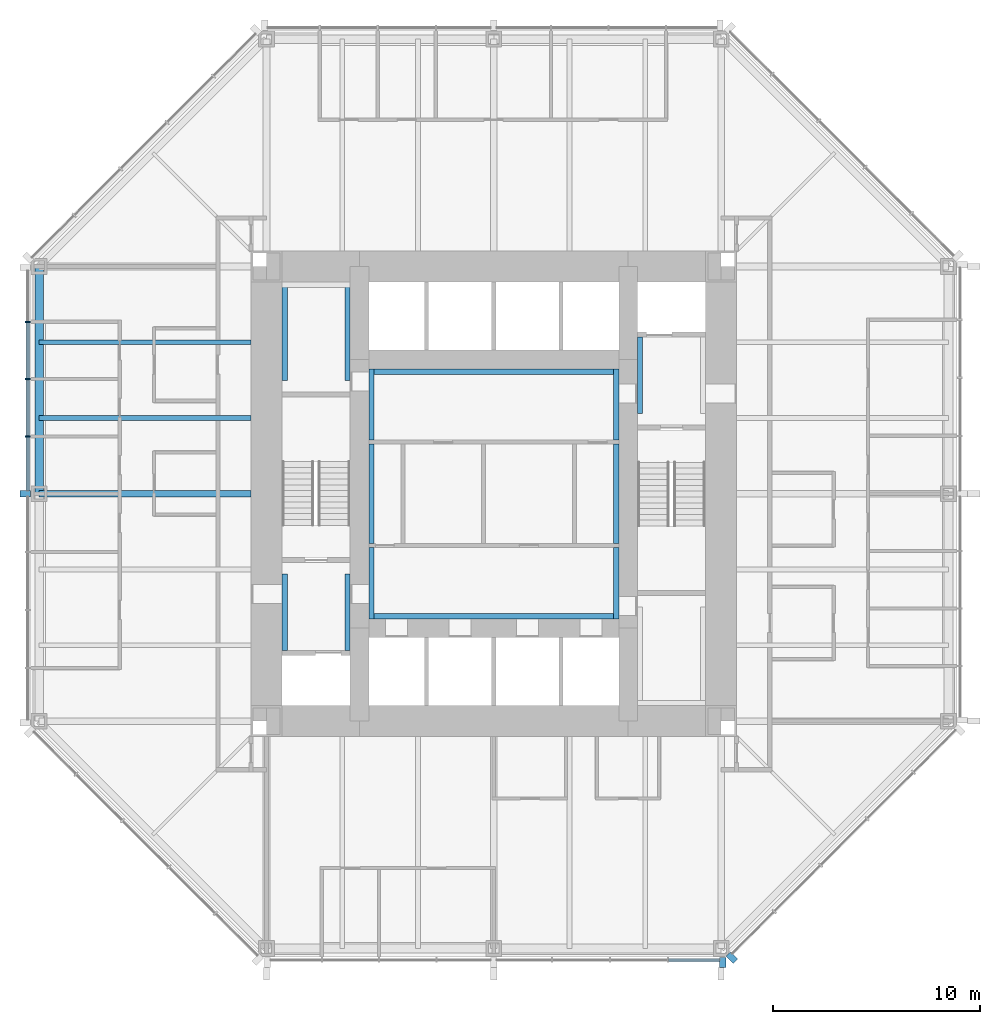
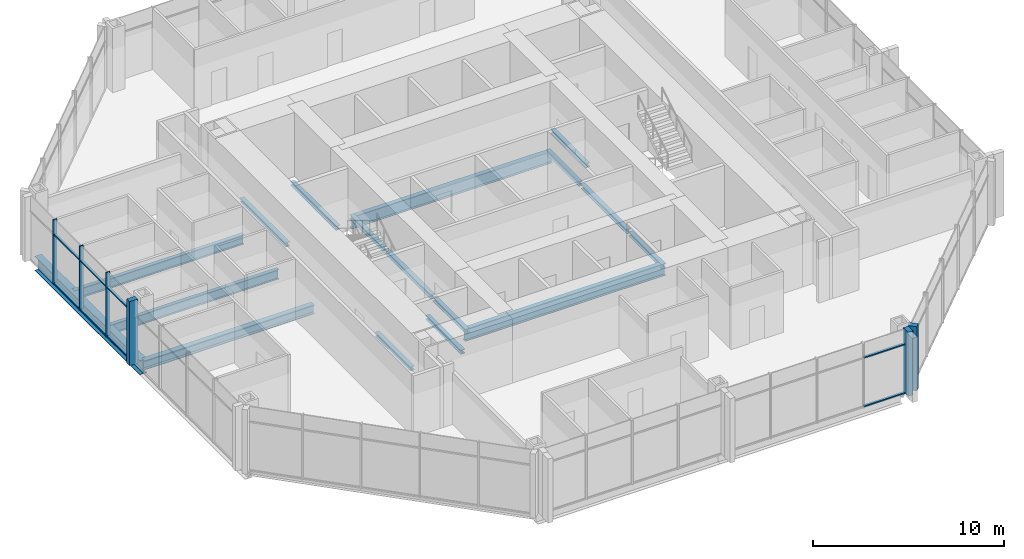
# One storey, part 3 of 12: 17 beams, 14 members, 3 elements without a shape of their own.
"""IFC4 building model written with IfcOpenShell, lengths in metres."""

import ifcopenshell
import ifcopenshell.guid

model = None  # the IFC model being written
_history = None  # IfcOwnerHistory: only IFC2X3 demands one
_inside = {}  # id of a spatial element -> (the spatial element, [elements in it])
_under = {}  # id of a project, library or spatial element -> (it, [spatial elements below it])
_declared = {}  # id of a project -> (the project, [libraries it declares])
_typed = {}  # id of a type object -> (the type object, [elements of that type])
_made_of = {}  # id of a material, layer set ... -> (it, [elements and type objects made of it])


def new_model(schema):
    """Start an empty IFC model of exactly this schema.

    Asked for "IFC4X3", IfcOpenShell would pick the latest addendum, in which some entities
    have other attributes; the version numbers below select the first issue.
    IFC2X3 requires an IfcOwnerHistory on every rooted entity: one is made here for all.
    """
    global model, _history
    if schema == "IFC4X3":
        model = ifcopenshell.file(schema_version=(4, 3, 0, 0))
    else:
        model = ifcopenshell.file(schema=schema)
    _inside.clear()
    _under.clear()
    _declared.clear()
    _typed.clear()
    _made_of.clear()
    _history = None
    if model.schema == "IFC2X3":
        org = make("IfcOrganization", Name="unknown")
        user = make(
            "IfcPersonAndOrganization",
            ThePerson=make("IfcPerson", FamilyName="unknown"),
            TheOrganization=org,
        )
        app = make(
            "IfcApplication",
            ApplicationDeveloper=org,
            Version="unknown",
            ApplicationFullName="unknown",
            ApplicationIdentifier="unknown",
        )
        _history = make(
            "IfcOwnerHistory",
            OwningUser=user,
            OwningApplication=app,
            ChangeAction="ADDED",
            CreationDate=0,
        )
    return model


def make(cls, **values):
    """One entity of the class cls with the attributes given. An attribute that is None is left unset."""
    return model.create_entity(
        cls, **{name: value for name, value in values.items() if value is not None}
    )


def rooted(cls, **values):
    """An entity with a GlobalId (a new one), such as an element, a storey or a relation."""
    return make(cls, GlobalId=ifcopenshell.guid.new(), OwnerHistory=_history, **values)


def si_unit(unit_type, name, prefix=None):
    """IfcSIUnit, for example si_unit("LENGTHUNIT", "METRE", prefix="MILLI")."""
    return make("IfcSIUnit", UnitType=unit_type, Prefix=prefix, Name=name)


def assignment(units):
    """IfcUnitAssignment: the units of a project."""
    return None if units is None else make("IfcUnitAssignment", Units=units)


def point(xyz):
    """IfcCartesianPoint."""
    return None if xyz is None else make("IfcCartesianPoint", Coordinates=xyz)


def direction(xyz):
    """IfcDirection."""
    return None if xyz is None else make("IfcDirection", DirectionRatios=xyz)


def frame(location, z_axis=None, x_axis=None):
    """IfcAxis2Placement3D, a coordinate frame: its origin and axes. An axis left out is left unset."""
    return make(
        "IfcAxis2Placement3D",
        Location=point(location),
        Axis=direction(z_axis),
        RefDirection=direction(x_axis),
    )


def frame_2d(location, x_axis=None):
    """IfcAxis2Placement2D, a coordinate frame in the plane: its origin and x axis."""
    return make(
        "IfcAxis2Placement2D", Location=point(location), RefDirection=direction(x_axis)
    )


def origin():
    """The frame at (0, 0, 0) with its axes left unset."""
    return frame((0.0, 0.0, 0.0))


def origin_2d():
    """The frame at (0, 0) in the plane with its x axis left unset."""
    return frame_2d((0.0, 0.0))


def place(relative_to, where):
    """IfcLocalPlacement: puts the frame where relative to a parent placement (None: the world)."""
    return make(
        "IfcLocalPlacement", PlacementRelTo=relative_to, RelativePlacement=where
    )


def context(
    kind, dimensions, precision=None, world=None, true_north=None, identifier=None
):
    """IfcGeometricRepresentationContext, for example the 3D "Model" context."""
    return make(
        "IfcGeometricRepresentationContext",
        ContextIdentifier=identifier,
        ContextType=kind,
        CoordinateSpaceDimension=dimensions,
        Precision=precision,
        WorldCoordinateSystem=world,
        TrueNorth=true_north,
    )


def subcontext(parent, identifier, kind, view, scale=None):
    """IfcGeometricRepresentationSubContext, for example "Body" below "Model"."""
    return make(
        "IfcGeometricRepresentationSubContext",
        ContextIdentifier=identifier,
        ContextType=kind,
        ParentContext=parent,
        TargetScale=scale,
        TargetView=view,
    )


def project(units=None, contexts=None):
    """IfcProject with its units and contexts."""
    return rooted(
        "IfcProject",
        Name="project",
        RepresentationContexts=contexts,
        UnitsInContext=assignment(units),
    )


def spatial(cls, under=None, at=None, **own):
    """A site, building, storey or space (cls), placed at a placement, below another one or the project."""
    s = rooted(cls, ObjectPlacement=at, **own)
    if under is not None:
        _under.setdefault(under.id(), (under, []))[1].append(s)
    return s


def profile(cls, at=None, kind="AREA", **sizes):
    """A parametric profile (cls). Its sizes go by their IFC names, for example OverallWidth=200.0."""
    return make(cls, ProfileType=kind, Position=at, **sizes)


def rectangle(**sizes):
    """IfcRectangleProfileDef."""
    return profile("IfcRectangleProfileDef", **sizes)


def i_section(**sizes):
    """IfcIShapeProfileDef."""
    return profile("IfcIShapeProfileDef", **sizes)


def extrude(swept, where, along, depth):
    """IfcExtrudedAreaSolid: the profile swept, set in the frame where, extruded along a direction by depth."""
    return make(
        "IfcExtrudedAreaSolid",
        SweptArea=swept,
        Position=where,
        ExtrudedDirection=direction(along),
        Depth=depth,
    )


def shape(context_of_items, identifier, shape_type, items):
    """IfcShapeRepresentation: the items that make up one representation, for example the "Body"."""
    return make(
        "IfcShapeRepresentation",
        ContextOfItems=context_of_items,
        RepresentationIdentifier=identifier,
        RepresentationType=shape_type,
        Items=items,
    )


def material(Name=None, Category=None):
    """IfcMaterial."""
    return make("IfcMaterial", Name=Name, Category=Category)


def material_profile(
    of_material, cross_section, Name=None, Category=None, Priority=None
):
    """IfcMaterialProfile: a cross section and its material."""
    return make(
        "IfcMaterialProfile",
        Name=Name,
        Material=of_material,
        Profile=cross_section,
        Priority=Priority,
        Category=Category,
    )


def profile_set(profiles, Name=None, composite=None):
    """IfcMaterialProfileSet."""
    return make(
        "IfcMaterialProfileSet",
        Name=Name,
        MaterialProfiles=profiles,
        CompositeProfile=composite,
    )


def made_of(thing, what):
    """Note that an element or type object is made of a material, layer set ...; save() writes the relation."""
    if what is not None:
        _made_of.setdefault(what.id(), (what, []))[1].append(thing)
    return thing


def type_object(cls, material=None, **own):
    """A type object (cls), such as IfcWallType, which elements share."""
    return made_of(rooted(cls, **own), material)


def element(
    cls,
    number,
    at=None,
    inside=None,
    cuts=None,
    type_object=None,
    material=None,
    context=None,
    identifier="Body",
    shape_type=None,
    held_by="IfcProductDefinitionShape",
    body=None,
    shapes=None,
    **own,
):
    """One element of the class cls, such as IfcWall. Its Tag is "e" and its number.

    at: its placement. inside: the storey or other place that contains it. cuts: it is an
    opening in that element (IfcRelVoidsElement). A single representation is given by context,
    identifier, shape_type and body (its items); several are given by shapes. held_by: the class
    of the entity that holds the representations. save() writes the other relations.
    """
    e = rooted(cls, Tag="e%d" % number, ObjectPlacement=at, **own)
    if body is not None:
        shapes = [shape(context, identifier, shape_type, body)]
    if shapes is not None:
        e.Representation = make(held_by, Representations=shapes)
    if inside is not None:
        _inside.setdefault(inside.id(), (inside, []))[1].append(e)
    if cuts is not None:
        rooted(
            "IfcRelVoidsElement", RelatingBuildingElement=cuts, RelatedOpeningElement=e
        )
    if type_object is not None:
        _typed.setdefault(type_object.id(), (type_object, []))[1].append(e)
    return made_of(e, material)


def aggregate(whole, parts):
    """IfcRelAggregates: a whole, such as a stair, and the parts it consists of."""
    return rooted("IfcRelAggregates", RelatingObject=whole, RelatedObjects=parts)


def save(model, path):
    """Write the relations noted so far, then the file.

    IfcRelAggregates (storeys below a building ...), IfcRelContainedInSpatialStructure (elements
    in a storey), IfcRelDefinesByType, IfcRelAssociatesMaterial and IfcRelDeclares: one each for
    every whole, place, type object, material and project.
    """
    for whole, parts in _under.values():
        aggregate(whole, parts)
    for where, things in _inside.values():
        rooted(
            "IfcRelContainedInSpatialStructure",
            RelatedElements=things,
            RelatingStructure=where,
        )
    for kind, things in _typed.values():
        rooted("IfcRelDefinesByType", RelatedObjects=things, RelatingType=kind)
    for what, things in _made_of.values():
        rooted("IfcRelAssociatesMaterial", RelatedObjects=things, RelatingMaterial=what)
    for by, libraries in _declared.values():
        rooted("IfcRelDeclares", RelatingContext=by, RelatedDefinitions=libraries)
    model.write(path)


model = new_model("IFC4")

# Units and contexts
model_context = context("Model", 3, precision=1e-05, world=origin(), true_north=direction((0.0, 1.0)))
body_context = subcontext(model_context, "Body", "Model", "MODEL_VIEW")
ifc_project = project(units=[si_unit("LENGTHUNIT", "METRE"), si_unit("AREAUNIT", "SQUARE_METRE"), si_unit("VOLUMEUNIT", "CUBIC_METRE"), si_unit("PLANEANGLEUNIT", "RADIAN"), si_unit("MASSUNIT", "GRAM", prefix="KILO")], contexts=[model_context])

# Site, building, storey
site_placement = place(None, origin())
site = spatial("IfcSite", under=ifc_project, at=site_placement, CompositionType="ELEMENT")
building_placement = place(site_placement, origin())
building = spatial("IfcBuilding", under=site, at=building_placement, Name="Trevanion Tower", CompositionType="ELEMENT")
storey_placement = place(building_placement, frame((0.0, 0.0, 113.10009765625)))
storey = spatial("IfcBuildingStorey", under=building, at=storey_placement, Name="L26", CompositionType="ELEMENT", Elevation=113.10009765625)

# Beams
ifc_material_1 = material(Name="Steel ASTM A992 Grade 50", Category="steel")
ifc_material_profile_1 = material_profile(ifc_material_1, i_section(OverallWidth=0.22900390625, OverallDepth=0.612060546875, WebThickness=0.011962890625, FlangeThickness=0.01953125, at=origin_2d()), Name="W24X84")
ifc_profile_set_1 = profile_set([ifc_material_profile_1], Name="Steel ASTM A992 Grade 50")
beam_type_1 = type_object("IfcBeamType", Name="B7 W24X84", PredefinedType="BEAM", material=ifc_profile_set_1)
for number, where, z_axis, x_axis, name in (
    (1, (-11.75, 7.333251953125, -0.49609375), (-1.0, 0.0, 0.0), (0.0, -1.0, 0.0), "B7 L26"),
    (2, (-11.75, 3.666748046875, -0.49609375), (-1.0, 0.0, 0.0), (0.0, -1.0, 0.0), "B7 L26"),
):
    element("IfcBeam", number, at=place(storey_placement, frame(where, z_axis=z_axis, x_axis=x_axis)), inside=storey, type_object=beam_type_1, Name=name, PredefinedType="BEAM", context=body_context, shape_type="SweptSolid", body=[
        extrude(i_section(OverallWidth=0.22900390625, OverallDepth=0.612060546875, WebThickness=0.011962890625, FlangeThickness=0.01953125, at=origin_2d()), origin(), (0.0, 0.0, 1.0), 10.25),
    ])

# Curtain wall, members
ifc_material_2 = material(Name="Aluminium and glass", Category="aluminium")
curtain_wall_type = type_object("IfcCurtainWallType", Name="CW2 curtain wall", PredefinedType="USERDEFINED", material=ifc_material_2)
curtain_wall_1_placement = place(storey_placement, origin())
curtain_wall_1 = element("IfcCurtainWall", 3, at=curtain_wall_1_placement, inside=storey, type_object=curtain_wall_type, Name="CW2 L26 4", ObjectType="UNITISED CURTAIN WALL", PredefinedType="USERDEFINED")
ifc_material_3 = material(Name="Aluminium extrusion, anodised bronze", Category="aluminium")
ifc_material_profile_2 = material_profile(ifc_material_3, rectangle(XDim=0.074951171875, YDim=0.25, at=origin_2d()), Name="CW2 mullion")
ifc_profile_set_2 = profile_set([ifc_material_profile_2], Name="Aluminium extrusion, anodised bronze")
member_type_1 = type_object("IfcMemberType", Name="CW2 mullion", PredefinedType="MULLION", material=ifc_profile_set_2)
member_1_placement = place(storey_placement, frame((-22.550048828125, 8.323486328125, -0.190185546875), z_axis=(0.0, 0.0, 1.0), x_axis=(0.0, -1.0, 0.0)))
member_1 = element("IfcMember", 4, at=member_1_placement, type_object=member_type_1, Name="CW2 mullion 2", PredefinedType="MULLION", context=body_context, shape_type="SweptSolid", body=[
    extrude(rectangle(XDim=0.074951171875, YDim=0.25, at=origin_2d()), origin(), (0.0, 0.0, 1.0), 4.10009765625),
])
member_2_placement = place(storey_placement, frame((-22.550048828125, 5.548828125, -0.190185546875), z_axis=(0.0, 0.0, 1.0), x_axis=(0.0, -1.0, 0.0)))
member_2 = element("IfcMember", 5, at=member_2_placement, type_object=member_type_1, Name="CW2 mullion 3", PredefinedType="MULLION", context=body_context, shape_type="SweptSolid", body=[
    extrude(rectangle(XDim=0.074951171875, YDim=0.25, at=origin_2d()), origin(), (0.0, 0.0, 1.0), 4.10009765625),
])
member_3_placement = place(storey_placement, frame((-22.550048828125, 2.7744140625, -0.190185546875), z_axis=(0.0, 0.0, 1.0), x_axis=(0.0, -1.0, 0.0)))
member_3 = element("IfcMember", 6, at=member_3_placement, type_object=member_type_1, Name="CW2 mullion 4", PredefinedType="MULLION", context=body_context, shape_type="SweptSolid", body=[
    extrude(rectangle(XDim=0.074951171875, YDim=0.25, at=origin_2d()), origin(), (0.0, 0.0, 1.0), 4.10009765625),
])
ifc_material_4 = material(Name="Aluminium extrusion, anodised bronze", Category="aluminium")
ifc_material_profile_3 = material_profile(ifc_material_4, rectangle(XDim=0.300048828125, YDim=0.5, at=origin_2d()), Name="CW2 pier mullion")
ifc_profile_set_3 = profile_set([ifc_material_profile_3], Name="Aluminium extrusion, anodised bronze")
member_type_2 = type_object("IfcMemberType", Name="CW2 pier mullion", PredefinedType="MULLION", material=ifc_profile_set_3)
member_4_placement = place(storey_placement, frame((-22.675048828125, 0.0, -0.190185546875), z_axis=(0.0, 0.0, 1.0), x_axis=(0.0, -1.0, 0.0)))
member_4 = element("IfcMember", 7, at=member_4_placement, type_object=member_type_2, Name="CW2 pier mullion 5", PredefinedType="MULLION", context=body_context, shape_type="SweptSolid", body=[
    extrude(rectangle(XDim=0.300048828125, YDim=0.5, at=origin_2d()), origin(), (0.0, 0.0, 1.0), 4.10009765625),
])

# Curtain wall, member
curtain_wall_2_placement = place(storey_placement, origin())
curtain_wall_2 = element("IfcCurtainWall", 8, at=curtain_wall_2_placement, inside=storey, type_object=curtain_wall_type, Name="CW2 L26 6", ObjectType="UNITISED CURTAIN WALL", PredefinedType="USERDEFINED")
member_5_placement = place(storey_placement, frame((11.077880859375, -22.675048828125, -0.190185546875), z_axis=(0.0, 0.0, 1.0), x_axis=(1.0, 0.0, 0.0)))
member_5 = element("IfcMember", 9, at=member_5_placement, type_object=member_type_2, Name="CW2 pier mullion 9", PredefinedType="MULLION", context=body_context, shape_type="SweptSolid", body=[
    extrude(rectangle(XDim=0.300048828125, YDim=0.5, at=origin_2d()), origin(), (0.0, 0.0, 1.0), 4.10009765625),
])

curtain_wall_3_placement = place(storey_placement, origin())
curtain_wall_3 = element("IfcCurtainWall", 10, at=curtain_wall_3_placement, inside=storey, type_object=curtain_wall_type, Name="CW2 L26 7", ObjectType="UNITISED CURTAIN WALL", PredefinedType="USERDEFINED")
member_6_placement = place(storey_placement, frame((11.51416015625, -22.4404296875, -0.190185546875), z_axis=(0.0, 0.0, 1.0), x_axis=(0.707106781187, 0.707106781187, 0.0)))
member_6 = element("IfcMember", 11, at=member_6_placement, type_object=member_type_2, Name="CW2 pier mullion 1", PredefinedType="MULLION", context=body_context, shape_type="SweptSolid", body=[
    extrude(rectangle(XDim=0.300048828125, YDim=0.5, at=origin_2d()), origin(), (0.0, 0.0, 1.0), 4.10009765625),
])
aggregate(curtain_wall_3, [member_6])

# Member
ifc_material_5 = material(Name="Aluminium extrusion, anodised bronze", Category="aluminium")
ifc_material_profile_4 = material_profile(ifc_material_5, rectangle(XDim=0.14990234375, YDim=0.074951171875, at=origin_2d()), Name="CW2 transom")
ifc_profile_set_4 = profile_set([ifc_material_profile_4], Name="Aluminium extrusion, anodised bronze")
member_type_3 = type_object("IfcMemberType", Name="CW2 transom", PredefinedType="USERDEFINED", material=ifc_profile_set_4)
member_7_placement = place(storey_placement, frame((-22.550048828125, 8.285888671875, -0.152587890625), z_axis=(0.0, -1.0, 0.0), x_axis=(1.0, 0.0, 0.0)))
member_7 = element("IfcMember", 12, at=member_7_placement, type_object=member_type_3, Name="CW2 transom 2.1", ObjectType="TRANSOM", PredefinedType="USERDEFINED", context=body_context, shape_type="SweptSolid", body=[
    extrude(rectangle(XDim=0.14990234375, YDim=0.074951171875, at=origin_2d()), origin(), (0.0, 0.0, 1.0), 2.699462890625),
])

member_8_placement = place(storey_placement, frame((-22.550048828125, 8.285888671875, 2.9599609375), z_axis=(0.0, -1.0, 0.0), x_axis=(1.0, 0.0, 0.0)))
member_8 = element("IfcMember", 13, at=member_8_placement, type_object=member_type_3, Name="CW2 transom 2.2", ObjectType="TRANSOM", PredefinedType="USERDEFINED", context=body_context, shape_type="SweptSolid", body=[
    extrude(rectangle(XDim=0.14990234375, YDim=0.074951171875, at=origin_2d()), origin(), (0.0, 0.0, 1.0), 2.699462890625),
])

member_9_placement = place(storey_placement, frame((-22.550048828125, 5.511474609375, -0.152587890625), z_axis=(0.0, -1.0, 0.0), x_axis=(1.0, 0.0, 0.0)))
member_9 = element("IfcMember", 14, at=member_9_placement, type_object=member_type_3, Name="CW2 transom 3.1", ObjectType="TRANSOM", PredefinedType="USERDEFINED", context=body_context, shape_type="SweptSolid", body=[
    extrude(rectangle(XDim=0.14990234375, YDim=0.074951171875, at=origin_2d()), origin(), (0.0, 0.0, 1.0), 2.699462890625),
])

member_10_placement = place(storey_placement, frame((-22.550048828125, 5.511474609375, 2.9599609375), z_axis=(0.0, -1.0, 0.0), x_axis=(1.0, 0.0, 0.0)))
member_10 = element("IfcMember", 15, at=member_10_placement, type_object=member_type_3, Name="CW2 transom 3.2", ObjectType="TRANSOM", PredefinedType="USERDEFINED", context=body_context, shape_type="SweptSolid", body=[
    extrude(rectangle(XDim=0.14990234375, YDim=0.074951171875, at=origin_2d()), origin(), (0.0, 0.0, 1.0), 2.699462890625),
])

member_11_placement = place(storey_placement, frame((-22.550048828125, 2.737060546875, -0.152587890625), z_axis=(0.0, -1.0, 0.0), x_axis=(1.0, 0.0, 0.0)))
member_11 = element("IfcMember", 16, at=member_11_placement, type_object=member_type_3, Name="CW2 transom 4.1", ObjectType="TRANSOM", PredefinedType="USERDEFINED", context=body_context, shape_type="SweptSolid", body=[
    extrude(rectangle(XDim=0.14990234375, YDim=0.074951171875, at=origin_2d()), origin(), (0.0, 0.0, 1.0), 2.587158203125),
])

member_12_placement = place(storey_placement, frame((-22.550048828125, 2.737060546875, 2.9599609375), z_axis=(0.0, -1.0, 0.0), x_axis=(1.0, 0.0, 0.0)))
member_12 = element("IfcMember", 17, at=member_12_placement, type_object=member_type_3, Name="CW2 transom 4.2", ObjectType="TRANSOM", PredefinedType="USERDEFINED", context=body_context, shape_type="SweptSolid", body=[
    extrude(rectangle(XDim=0.14990234375, YDim=0.074951171875, at=origin_2d()), origin(), (0.0, 0.0, 1.0), 2.587158203125),
])

aggregate(curtain_wall_1, [member_1, member_2, member_3, member_4, member_7, member_8, member_9, member_10, member_11, member_12])

member_13_placement = place(storey_placement, frame((8.45849609375, -22.550048828125, -0.152587890625), z_axis=(1.0, 0.0, 0.0), x_axis=(0.0, 1.0, 0.0)))
member_13 = element("IfcMember", 18, at=member_13_placement, type_object=member_type_3, Name="CW2 transom 8.1", ObjectType="TRANSOM", PredefinedType="USERDEFINED", context=body_context, shape_type="SweptSolid", body=[
    extrude(rectangle(XDim=0.14990234375, YDim=0.074951171875, at=origin_2d()), origin(), (0.0, 0.0, 1.0), 2.46923828125),
])

member_14_placement = place(storey_placement, frame((8.45849609375, -22.550048828125, 2.9599609375), z_axis=(1.0, 0.0, 0.0), x_axis=(0.0, 1.0, 0.0)))
member_14 = element("IfcMember", 19, at=member_14_placement, type_object=member_type_3, Name="CW2 transom 8.2", ObjectType="TRANSOM", PredefinedType="USERDEFINED", context=body_context, shape_type="SweptSolid", body=[
    extrude(rectangle(XDim=0.14990234375, YDim=0.074951171875, at=origin_2d()), origin(), (0.0, 0.0, 1.0), 2.46923828125),
])

aggregate(curtain_wall_2, [member_5, member_13, member_14])

# Beams
ifc_material_6 = material(Name="Steel ASTM A992 Grade 50", Category="steel")
ifc_material_profile_5 = material_profile(ifc_material_6, i_section(OverallWidth=0.320068359375, OverallDepth=0.584228515625, WebThickness=0.023193359375, FlangeThickness=0.04150390625, at=origin_2d()), Name="W21X201")
ifc_profile_set_5 = profile_set([ifc_material_profile_5], Name="Steel ASTM A992 Grade 50")
beam_type_2 = type_object("IfcBeamType", Name="G4 W21X201", PredefinedType="BEAM", material=ifc_profile_set_5)
beam_1_placement = place(storey_placement, frame((-11.75, 0.0, -0.482177734375), z_axis=(-1.0, 0.0, 0.0), x_axis=(0.0, -1.0, 0.0)))
element("IfcBeam", 20, at=beam_1_placement, inside=storey, type_object=beam_type_2, Name="G4 L26", PredefinedType="BEAM", context=body_context, shape_type="SweptSolid", body=[
    extrude(i_section(OverallWidth=0.320068359375, OverallDepth=0.584228515625, WebThickness=0.023193359375, FlangeThickness=0.04150390625, at=origin_2d()), origin(), (0.0, 0.0, 1.0), 10.25),
])
ifc_material_7 = material(Name="Steel ASTM A992 Grade 50", Category="steel")
ifc_material_profile_6 = material_profile(ifc_material_7, i_section(OverallWidth=0.256591796875, OverallDepth=0.26416015625, WebThickness=0.011962890625, FlangeThickness=0.01953125, at=origin_2d()), Name="W10X68")
ifc_profile_set_6 = profile_set([ifc_material_profile_6], Name="Steel ASTM A992 Grade 50")
beam_type_3 = type_object("IfcBeamType", Name="LB1 W10X68", PredefinedType="BEAM", material=ifc_profile_set_6)
for number, where, z_axis, x_axis, name in (
    (21, (-5.921630859375, 2.60009765625, -0.332275390625), (0.0, 1.0, 0.0), (-1.0, 0.0, 0.0), "LB1 L26"),
    (22, (5.921630859375, 2.60009765625, -0.332275390625), (0.0, 1.0, 0.0), (-1.0, 0.0, 0.0), "LB1 L26"),
    (23, (-5.921630859375, -6.050048828125, -0.332275390625), (0.0, 1.0, 0.0), (-1.0, 0.0, 0.0), "LB1 L26"),
    (24, (5.921630859375, -6.050048828125, -0.332275390625), (0.0, 1.0, 0.0), (-1.0, 0.0, 0.0), "LB1 L26"),
):
    element("IfcBeam", number, at=place(storey_placement, frame(where, z_axis=z_axis, x_axis=x_axis)), inside=storey, type_object=beam_type_3, Name=name, PredefinedType="BEAM", context=body_context, shape_type="SweptSolid", body=[
        extrude(i_section(OverallWidth=0.256591796875, OverallDepth=0.26416015625, WebThickness=0.011962890625, FlangeThickness=0.01953125, at=origin_2d()), origin(), (0.0, 0.0, 1.0), 3.449951171875),
    ])
for number, where, z_axis, x_axis, name in (
    (25, (7.078369140625, 3.875, -0.332275390625), (0.0, 1.0, 0.0), (-1.0, 0.0, 0.0), "LB1 L26"),
    (26, (-10.12158203125, -7.574951171875, -0.332275390625), (0.0, 1.0, 0.0), (-1.0, 0.0, 0.0), "LB1 L26"),
    (27, (-7.078369140625, -7.574951171875, -0.332275390625), (0.0, 1.0, 0.0), (-1.0, 0.0, 0.0), "LB1 L26"),
):
    element("IfcBeam", number, at=place(storey_placement, frame(where, z_axis=z_axis, x_axis=x_axis)), inside=storey, type_object=beam_type_3, Name=name, PredefinedType="BEAM", context=body_context, shape_type="SweptSolid", body=[
        extrude(i_section(OverallWidth=0.256591796875, OverallDepth=0.26416015625, WebThickness=0.011962890625, FlangeThickness=0.01953125, at=origin_2d()), origin(), (0.0, 0.0, 1.0), 3.699951171875),
    ])
for number, where, z_axis, x_axis, name in (
    (28, (-10.12158203125, 5.47509765625, -0.332275390625), (0.0, 1.0, 0.0), (-1.0, 0.0, 0.0), "LB1 L26"),
    (29, (-7.078369140625, 5.47509765625, -0.332275390625), (0.0, 1.0, 0.0), (-1.0, 0.0, 0.0), "LB1 L26"),
):
    element("IfcBeam", number, at=place(storey_placement, frame(where, z_axis=z_axis, x_axis=x_axis)), inside=storey, type_object=beam_type_3, Name=name, PredefinedType="BEAM", context=body_context, shape_type="SweptSolid", body=[
        extrude(i_section(OverallWidth=0.256591796875, OverallDepth=0.26416015625, WebThickness=0.011962890625, FlangeThickness=0.01953125, at=origin_2d()), origin(), (0.0, 0.0, 1.0), 4.77490234375),
    ])
for number, where, z_axis, x_axis, name in (
    (30, (-5.921630859375, -2.39990234375, -0.332275390625), (0.0, 1.0, 0.0), (-1.0, 0.0, 0.0), "LB1 L26"),
    (31, (5.921630859375, -2.39990234375, -0.332275390625), (0.0, 1.0, 0.0), (-1.0, 0.0, 0.0), "LB1 L26"),
):
    element("IfcBeam", number, at=place(storey_placement, frame(where, z_axis=z_axis, x_axis=x_axis)), inside=storey, type_object=beam_type_3, Name=name, PredefinedType="BEAM", context=body_context, shape_type="SweptSolid", body=[
        extrude(i_section(OverallWidth=0.256591796875, OverallDepth=0.26416015625, WebThickness=0.011962890625, FlangeThickness=0.01953125, at=origin_2d()), origin(), (0.0, 0.0, 1.0), 4.7998046875),
    ])
ifc_material_8 = material(Name="Steel ASTM A992 Grade 50", Category="steel")
ifc_material_profile_7 = material_profile(ifc_material_8, i_section(OverallWidth=0.2666015625, OverallDepth=0.76953125, WebThickness=0.015625, FlangeThickness=0.025390625, at=origin_2d()), Name="W30X132")
ifc_profile_set_7 = profile_set([ifc_material_profile_7], Name="Steel ASTM A992 Grade 50")
beam_type_4 = type_object("IfcBeamType", Name="LB3 W30X132", PredefinedType="BEAM", material=ifc_profile_set_7)
for number, where, z_axis, x_axis, name in (
    (32, (-6.050048828125, 5.91650390625, -0.5849609375), (1.0, 0.0, 0.0), (0.0, 1.0, 0.0), "LB3 L26"),
    (33, (-6.050048828125, -5.91650390625, -0.5849609375), (1.0, 0.0, 0.0), (0.0, 1.0, 0.0), "LB3 L26"),
):
    element("IfcBeam", number, at=place(storey_placement, frame(where, z_axis=z_axis, x_axis=x_axis)), inside=storey, type_object=beam_type_4, Name=name, PredefinedType="BEAM", context=body_context, shape_type="SweptSolid", body=[
        extrude(i_section(OverallWidth=0.2666015625, OverallDepth=0.76953125, WebThickness=0.015625, FlangeThickness=0.025390625, at=origin_2d()), origin(), (0.0, 0.0, 1.0), 12.10009765625),
    ])
ifc_material_9 = material(Name="Steel ASTM A992 Grade 50", Category="steel")
ifc_material_profile_8 = material_profile(ifc_material_9, i_section(OverallWidth=0.419189453125, OverallDepth=0.927001953125, WebThickness=0.019287109375, FlangeThickness=0.031982421875, at=origin_2d()), Name="W36X231")
ifc_profile_set_8 = profile_set([ifc_material_profile_8], Name="Steel ASTM A992 Grade 50")
beam_type_5 = type_object("IfcBeamType", Name="SB4 W36X231", PredefinedType="SPANDREL", material=ifc_profile_set_8)
beam_2_placement = place(storey_placement, frame((-22.0, 11.0, -0.65380859375), z_axis=(0.0, -1.0, 0.0), x_axis=(1.0, 0.0, 0.0)))
element("IfcBeam", 34, at=beam_2_placement, inside=storey, type_object=beam_type_5, Name="SB4 L26", PredefinedType="SPANDREL", context=body_context, shape_type="SweptSolid", body=[
    extrude(i_section(OverallWidth=0.419189453125, OverallDepth=0.927001953125, WebThickness=0.019287109375, FlangeThickness=0.031982421875, at=origin_2d()), origin(), (0.0, 0.0, 1.0), 11.0),
])

save(model, "model.ifc")
